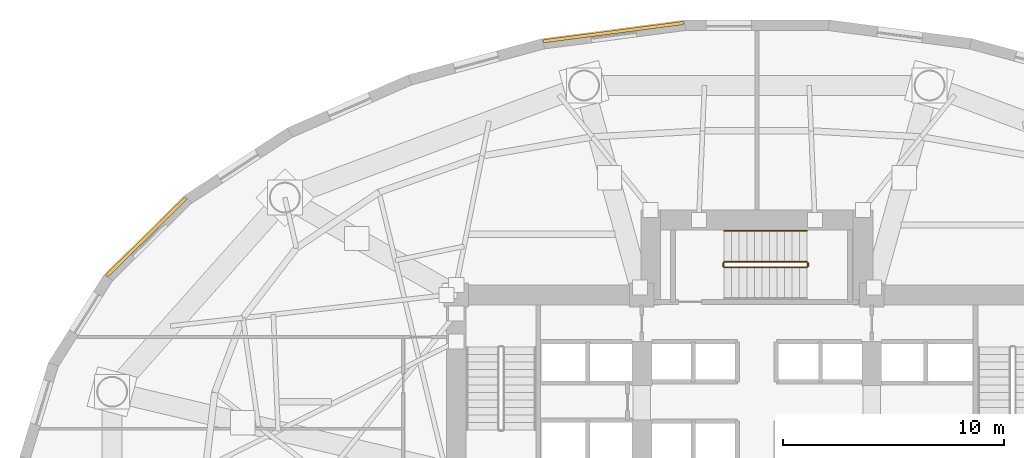
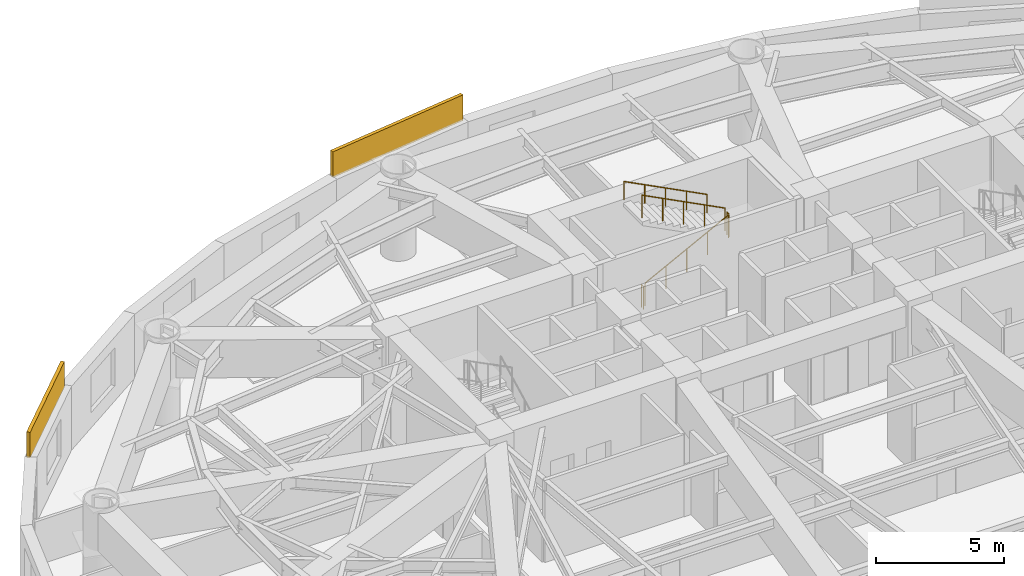
# One storey, part 13 of 14: 5 railings, 2 coverings.
"""IFC4 building model written with IfcOpenShell, lengths in metres."""

import ifcopenshell
import ifcopenshell.guid

model = None  # the IFC model being written
_history = None  # IfcOwnerHistory: only IFC2X3 demands one
_inside = {}  # id of a spatial element -> (the spatial element, [elements in it])
_under = {}  # id of a project, library or spatial element -> (it, [spatial elements below it])
_declared = {}  # id of a project -> (the project, [libraries it declares])
_typed = {}  # id of a type object -> (the type object, [elements of that type])
_made_of = {}  # id of a material, layer set ... -> (it, [elements and type objects made of it])


def new_model(schema):
    """Start an empty IFC model of exactly this schema.

    Asked for "IFC4X3", IfcOpenShell would pick the latest addendum, in which some entities
    have other attributes; the version numbers below select the first issue.
    IFC2X3 requires an IfcOwnerHistory on every rooted entity: one is made here for all.
    """
    global model, _history
    if schema == "IFC4X3":
        model = ifcopenshell.file(schema_version=(4, 3, 0, 0))
    else:
        model = ifcopenshell.file(schema=schema)
    _inside.clear()
    _under.clear()
    _declared.clear()
    _typed.clear()
    _made_of.clear()
    _history = None
    if model.schema == "IFC2X3":
        org = make("IfcOrganization", Name="unknown")
        user = make(
            "IfcPersonAndOrganization",
            ThePerson=make("IfcPerson", FamilyName="unknown"),
            TheOrganization=org,
        )
        app = make(
            "IfcApplication",
            ApplicationDeveloper=org,
            Version="unknown",
            ApplicationFullName="unknown",
            ApplicationIdentifier="unknown",
        )
        _history = make(
            "IfcOwnerHistory",
            OwningUser=user,
            OwningApplication=app,
            ChangeAction="ADDED",
            CreationDate=0,
        )
    return model


def make(cls, **values):
    """One entity of the class cls with the attributes given. An attribute that is None is left unset."""
    return model.create_entity(
        cls, **{name: value for name, value in values.items() if value is not None}
    )


def rooted(cls, **values):
    """An entity with a GlobalId (a new one), such as an element, a storey or a relation."""
    return make(cls, GlobalId=ifcopenshell.guid.new(), OwnerHistory=_history, **values)


def si_unit(unit_type, name, prefix=None):
    """IfcSIUnit, for example si_unit("LENGTHUNIT", "METRE", prefix="MILLI")."""
    return make("IfcSIUnit", UnitType=unit_type, Prefix=prefix, Name=name)


def assignment(units):
    """IfcUnitAssignment: the units of a project."""
    return None if units is None else make("IfcUnitAssignment", Units=units)


def point(xyz):
    """IfcCartesianPoint."""
    return None if xyz is None else make("IfcCartesianPoint", Coordinates=xyz)


def direction(xyz):
    """IfcDirection."""
    return None if xyz is None else make("IfcDirection", DirectionRatios=xyz)


def frame(location, z_axis=None, x_axis=None):
    """IfcAxis2Placement3D, a coordinate frame: its origin and axes. An axis left out is left unset."""
    return make(
        "IfcAxis2Placement3D",
        Location=point(location),
        Axis=direction(z_axis),
        RefDirection=direction(x_axis),
    )


def frame_2d(location, x_axis=None):
    """IfcAxis2Placement2D, a coordinate frame in the plane: its origin and x axis."""
    return make(
        "IfcAxis2Placement2D", Location=point(location), RefDirection=direction(x_axis)
    )


def origin():
    """The frame at (0, 0, 0) with its axes left unset."""
    return frame((0.0, 0.0, 0.0))


def origin_2d():
    """The frame at (0, 0) in the plane with its x axis left unset."""
    return frame_2d((0.0, 0.0))


def place(relative_to, where):
    """IfcLocalPlacement: puts the frame where relative to a parent placement (None: the world)."""
    return make(
        "IfcLocalPlacement", PlacementRelTo=relative_to, RelativePlacement=where
    )


def context(
    kind, dimensions, precision=None, world=None, true_north=None, identifier=None
):
    """IfcGeometricRepresentationContext, for example the 3D "Model" context."""
    return make(
        "IfcGeometricRepresentationContext",
        ContextIdentifier=identifier,
        ContextType=kind,
        CoordinateSpaceDimension=dimensions,
        Precision=precision,
        WorldCoordinateSystem=world,
        TrueNorth=true_north,
    )


def subcontext(parent, identifier, kind, view, scale=None):
    """IfcGeometricRepresentationSubContext, for example "Body" below "Model"."""
    return make(
        "IfcGeometricRepresentationSubContext",
        ContextIdentifier=identifier,
        ContextType=kind,
        ParentContext=parent,
        TargetScale=scale,
        TargetView=view,
    )


def project(units=None, contexts=None):
    """IfcProject with its units and contexts."""
    return rooted(
        "IfcProject",
        Name="project",
        RepresentationContexts=contexts,
        UnitsInContext=assignment(units),
    )


def spatial(cls, under=None, at=None, **own):
    """A site, building, storey or space (cls), placed at a placement, below another one or the project."""
    s = rooted(cls, ObjectPlacement=at, **own)
    if under is not None:
        _under.setdefault(under.id(), (under, []))[1].append(s)
    return s


def profile(cls, at=None, kind="AREA", **sizes):
    """A parametric profile (cls). Its sizes go by their IFC names, for example OverallWidth=200.0."""
    return make(cls, ProfileType=kind, Position=at, **sizes)


def rectangle(**sizes):
    """IfcRectangleProfileDef."""
    return profile("IfcRectangleProfileDef", **sizes)


def circle(**sizes):
    """IfcCircleProfileDef."""
    return profile("IfcCircleProfileDef", **sizes)


def extrude(swept, where, along, depth):
    """IfcExtrudedAreaSolid: the profile swept, set in the frame where, extruded along a direction by depth."""
    return make(
        "IfcExtrudedAreaSolid",
        SweptArea=swept,
        Position=where,
        ExtrudedDirection=direction(along),
        Depth=depth,
    )


def shape(context_of_items, identifier, shape_type, items):
    """IfcShapeRepresentation: the items that make up one representation, for example the "Body"."""
    return make(
        "IfcShapeRepresentation",
        ContextOfItems=context_of_items,
        RepresentationIdentifier=identifier,
        RepresentationType=shape_type,
        Items=items,
    )


def material(Name=None, Category=None):
    """IfcMaterial."""
    return make("IfcMaterial", Name=Name, Category=Category)


def layer(
    of_material, thickness, ventilated=None, Name=None, Category=None, Priority=None
):
    """IfcMaterialLayer: one layer of a wall or slab, of a material (None: an air gap)."""
    return make(
        "IfcMaterialLayer",
        Material=of_material,
        LayerThickness=thickness,
        IsVentilated=ventilated,
        Name=Name,
        Category=Category,
        Priority=Priority,
    )


def layer_set(layers, Name=None):
    """IfcMaterialLayerSet."""
    return make("IfcMaterialLayerSet", MaterialLayers=layers, LayerSetName=Name)


def made_of(thing, what):
    """Note that an element or type object is made of a material, layer set ...; save() writes the relation."""
    if what is not None:
        _made_of.setdefault(what.id(), (what, []))[1].append(thing)
    return thing


def type_object(cls, material=None, **own):
    """A type object (cls), such as IfcWallType, which elements share."""
    return made_of(rooted(cls, **own), material)


def element(
    cls,
    number,
    at=None,
    inside=None,
    cuts=None,
    type_object=None,
    material=None,
    context=None,
    identifier="Body",
    shape_type=None,
    held_by="IfcProductDefinitionShape",
    body=None,
    shapes=None,
    **own,
):
    """One element of the class cls, such as IfcWall. Its Tag is "e" and its number.

    at: its placement. inside: the storey or other place that contains it. cuts: it is an
    opening in that element (IfcRelVoidsElement). A single representation is given by context,
    identifier, shape_type and body (its items); several are given by shapes. held_by: the class
    of the entity that holds the representations. save() writes the other relations.
    """
    e = rooted(cls, Tag="e%d" % number, ObjectPlacement=at, **own)
    if body is not None:
        shapes = [shape(context, identifier, shape_type, body)]
    if shapes is not None:
        e.Representation = make(held_by, Representations=shapes)
    if inside is not None:
        _inside.setdefault(inside.id(), (inside, []))[1].append(e)
    if cuts is not None:
        rooted(
            "IfcRelVoidsElement", RelatingBuildingElement=cuts, RelatedOpeningElement=e
        )
    if type_object is not None:
        _typed.setdefault(type_object.id(), (type_object, []))[1].append(e)
    return made_of(e, material)


def aggregate(whole, parts):
    """IfcRelAggregates: a whole, such as a stair, and the parts it consists of."""
    return rooted("IfcRelAggregates", RelatingObject=whole, RelatedObjects=parts)


def save(model, path):
    """Write the relations noted so far, then the file.

    IfcRelAggregates (storeys below a building ...), IfcRelContainedInSpatialStructure (elements
    in a storey), IfcRelDefinesByType, IfcRelAssociatesMaterial and IfcRelDeclares: one each for
    every whole, place, type object, material and project.
    """
    for whole, parts in _under.values():
        aggregate(whole, parts)
    for where, things in _inside.values():
        rooted(
            "IfcRelContainedInSpatialStructure",
            RelatedElements=things,
            RelatingStructure=where,
        )
    for kind, things in _typed.values():
        rooted("IfcRelDefinesByType", RelatedObjects=things, RelatingType=kind)
    for what, things in _made_of.values():
        rooted("IfcRelAssociatesMaterial", RelatedObjects=things, RelatingMaterial=what)
    for by, libraries in _declared.values():
        rooted("IfcRelDeclares", RelatingContext=by, RelatedDefinitions=libraries)
    model.write(path)


model = new_model("IFC4")

# Units and contexts
model_context = context("Model", 3, precision=1e-05, world=origin(), true_north=direction((0.0, 1.0)))
body_context = subcontext(model_context, "Body", "Model", "MODEL_VIEW")
ifc_project = project(units=[si_unit("LENGTHUNIT", "METRE"), si_unit("AREAUNIT", "SQUARE_METRE"), si_unit("VOLUMEUNIT", "CUBIC_METRE"), si_unit("PLANEANGLEUNIT", "RADIAN"), si_unit("MASSUNIT", "GRAM", prefix="KILO")], contexts=[model_context])

# Site, building, storey
site_placement = place(None, origin())
site = spatial("IfcSite", under=ifc_project, at=site_placement, CompositionType="ELEMENT")
building_placement = place(site_placement, origin())
building = spatial("IfcBuilding", under=site, at=building_placement, Name="Keldmark Tower", CompositionType="ELEMENT")
storey_placement = place(building_placement, frame((0.0, 0.0, 22.800048828125)))
storey = spatial("IfcBuildingStorey", under=building, at=storey_placement, Name="L05", CompositionType="ELEMENT", Elevation=22.800048828125)

# Coverings
ifc_material_1 = material(Name="Honed Kasota Buff Dolomitic Limestone", Category="masonry")
ifc_layer = layer(ifc_material_1, 0.074951171875)
ifc_layer_set = layer_set([ifc_layer], Name="Honed Kasota Buff Dolomitic Limestone")
covering_type = type_object("IfcCoveringType", Name="Kasota Buff Limestone Spandrel Cladding Band", PredefinedType="CLADDING", material=ifc_layer_set)
covering_1_placement = place(storey_placement, frame((-6.487060546875, 21.344482421875, 2.952880859375), z_axis=(0.0, 0.0, 1.0), x_axis=(-0.991574223108, -0.129539801092, 0.0)))
element("IfcCovering", 1, at=covering_1_placement, inside=storey, type_object=covering_type, Name="L05 Kasota Limestone Spandrel Band 09", PredefinedType="CLADDING", context=body_context, shape_type="SweptSolid", body=[
    extrude(rectangle(XDim=6.37548828125, YDim=0.14990234375, at=origin_2d()), origin(), (0.0, 0.0, 1.0), 1.22705078125),
])
covering_2_placement = place(storey_placement, frame((-27.62890625, 12.071044921875, 2.952880859375), z_axis=(0.0, 0.0, 1.0), x_axis=(-0.713189280566, -0.700971504475, 0.0)))
element("IfcCovering", 2, at=covering_2_placement, inside=storey, type_object=covering_type, Name="L05 Kasota Limestone Spandrel Band 13", PredefinedType="CLADDING", context=body_context, shape_type="SweptSolid", body=[
    extrude(rectangle(XDim=4.995849609375, YDim=0.14990234375, at=origin_2d()), origin(), (0.0, 0.0, 1.0), 1.22705078125),
])

# Railings
ifc_material_2 = material(Name="Painted Steel ASTM A500 Grade B", Category="steel")
railing_type_1 = type_object("IfcRailingType", Name="Painted Steel Stair Well Guard 1100 mm", PredefinedType="GUARDRAIL", material=ifc_material_2)
railing_1_placement = place(storey_placement, frame((-1.47509765625, 10.699951171875, 0.175048828125)))
element("IfcRailing", 3, at=railing_1_placement, inside=storey, type_object=railing_type_1, Name="L05 ST3 stair guard 1", PredefinedType="GUARDRAIL", context=body_context, shape_type="SweptSolid", body=[
    extrude(circle(Radius=0.02392578125, at=origin_2d()), frame((0.0, 0.0, 1.076171875), z_axis=(0.889154217769, 0.0, 0.457607667138), x_axis=(0.0, 1.0, 0.0)), (0.0, 0.0, 1.0), 4.206298828125),
    extrude(circle(Radius=0.02099609375, at=origin_2d()), origin(), (0.0, 0.0, 1.0), 1.052001953125),
    extrude(circle(Radius=0.02099609375, at=origin_2d()), frame((0.93505859375, 0.0, 0.481201171875)), (0.0, 0.0, 1.0), 1.052001953125),
    extrude(circle(Radius=0.02099609375, at=origin_2d()), frame((1.8701171875, 0.0, 0.96240234375)), (0.0, 0.0, 1.0), 1.052001953125),
    extrude(circle(Radius=0.02099609375, at=origin_2d()), frame((2.804931640625, 0.0, 1.443603515625)), (0.0, 0.0, 1.0), 1.052001953125),
    extrude(circle(Radius=0.02099609375, at=origin_2d()), frame((3.739990234375, 0.0, 1.9248046875)), (0.0, 0.0, 1.0), 1.052001953125),
])
railing_2_placement = place(storey_placement, frame((2.31494140625, 10.75, 2.099853515625)))
element("IfcRailing", 4, at=railing_2_placement, inside=storey, type_object=railing_type_1, Name="L05 ST3 stair guard 2", PredefinedType="GUARDRAIL", context=body_context, shape_type="SweptSolid", body=[
    extrude(circle(Radius=0.02392578125, at=origin_2d()), frame((0.0, 0.0, 1.076171875), z_axis=(0.0, 1.0, 0.0), x_axis=(-1.0, 0.0, 0.0)), (0.0, 0.0, 1.0), 0.14990234375),
    extrude(circle(Radius=0.02099609375, at=origin_2d()), origin(), (0.0, 0.0, 1.0), 1.052001953125),
    extrude(circle(Radius=0.02099609375, at=origin_2d()), frame((0.0, 0.14990234375, 0.0)), (0.0, 0.0, 1.0), 1.052001953125),
])
railing_3_placement = place(storey_placement, frame((2.264892578125, 10.949951171875, 2.27490234375)))
element("IfcRailing", 5, at=railing_3_placement, inside=storey, type_object=railing_type_1, Name="L05 ST3 stair guard 3", PredefinedType="GUARDRAIL", context=body_context, shape_type="SweptSolid", body=[
    extrude(circle(Radius=0.02392578125, at=origin_2d()), frame((0.0, 0.0, 1.076171875), z_axis=(-0.889130600629, 0.0, 0.457653553493), x_axis=(0.0, -1.0, 0.0)), (0.0, 0.0, 1.0), 4.206298828125),
    extrude(circle(Radius=0.02099609375, at=origin_2d()), origin(), (0.0, 0.0, 1.0), 1.052001953125),
    extrude(circle(Radius=0.02099609375, at=origin_2d()), frame((-0.93505859375, 0.0, 0.481201171875)), (0.0, 0.0, 1.0), 1.052001953125),
    extrude(circle(Radius=0.02099609375, at=origin_2d()), frame((-1.8701171875, 0.0, 0.96240234375)), (0.0, 0.0, 1.0), 1.052001953125),
    extrude(circle(Radius=0.02099609375, at=origin_2d()), frame((-2.804931640625, 0.0, 1.44384765625)), (0.0, 0.0, 1.0), 1.052001953125),
    extrude(circle(Radius=0.02099609375, at=origin_2d()), frame((-3.739990234375, 0.0, 1.925048828125)), (0.0, 0.0, 1.0), 1.052001953125),
])
railing_4_placement = place(storey_placement, frame((-1.52490234375, 10.75, 0.0)))
element("IfcRailing", 6, at=railing_4_placement, inside=storey, type_object=railing_type_1, Name="L05 ST3 stair guard 4", PredefinedType="GUARDRAIL", context=body_context, shape_type="SweptSolid", body=[
    extrude(circle(Radius=0.02392578125, at=origin_2d()), frame((0.0, 0.0, 1.076171875), z_axis=(0.0, 1.0, 0.0), x_axis=(-1.0, 0.0, 0.0)), (0.0, 0.0, 1.0), 0.14990234375),
    extrude(circle(Radius=0.02099609375, at=origin_2d()), origin(), (0.0, 0.0, 1.0), 1.052001953125),
    extrude(circle(Radius=0.02099609375, at=origin_2d()), frame((0.0, 0.14990234375, 0.0)), (0.0, 0.0, 1.0), 1.052001953125),
])
ifc_material_3 = material(Name="Stainless Steel AISI 316L", Category="steel")
railing_type_2 = type_object("IfcRailingType", Name="Stainless Steel Stair Handrail 900 mm", PredefinedType="HANDRAIL", material=ifc_material_3)
railing_5_placement = place(storey_placement, frame((2.264892578125, 12.35009765625, 2.27490234375)))
element("IfcRailing", 7, at=railing_5_placement, inside=storey, type_object=railing_type_2, Name="L05 ST3 stair handrail 2", PredefinedType="HANDRAIL", context=body_context, shape_type="SweptSolid", body=[
    extrude(circle(Radius=0.02392578125, at=origin_2d()), frame((0.0, 0.0, 0.8759765625), z_axis=(-0.889130600629, 0.0, 0.457653553493), x_axis=(0.0, -1.0, 0.0)), (0.0, 0.0, 1.0), 4.206298828125),
    extrude(circle(Radius=0.02099609375, at=origin_2d()), origin(), (0.0, 0.0, 1.0), 0.851806640625),
    extrude(circle(Radius=0.02099609375, at=origin_2d()), frame((-0.93505859375, 0.0, 0.481201171875)), (0.0, 0.0, 1.0), 0.851806640625),
    extrude(circle(Radius=0.02099609375, at=origin_2d()), frame((-1.8701171875, 0.0, 0.96240234375)), (0.0, 0.0, 1.0), 0.851806640625),
    extrude(circle(Radius=0.02099609375, at=origin_2d()), frame((-2.804931640625, 0.0, 1.44384765625)), (0.0, 0.0, 1.0), 0.851806640625),
    extrude(circle(Radius=0.02099609375, at=origin_2d()), frame((-3.739990234375, 0.0, 1.925048828125)), (0.0, 0.0, 1.0), 0.851806640625),
])

save(model, "model.ifc")
